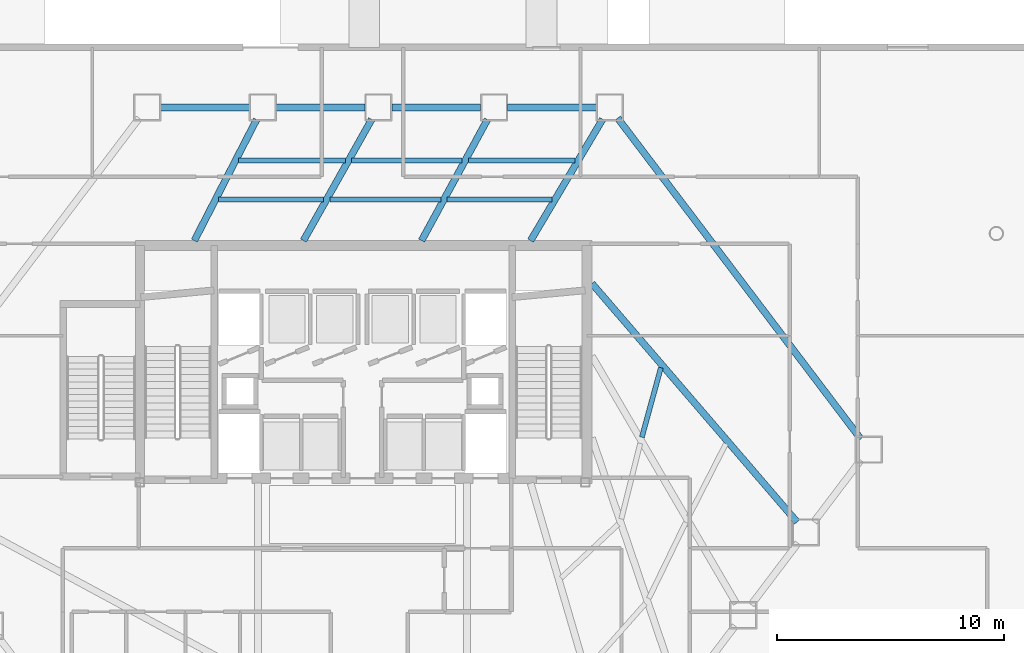
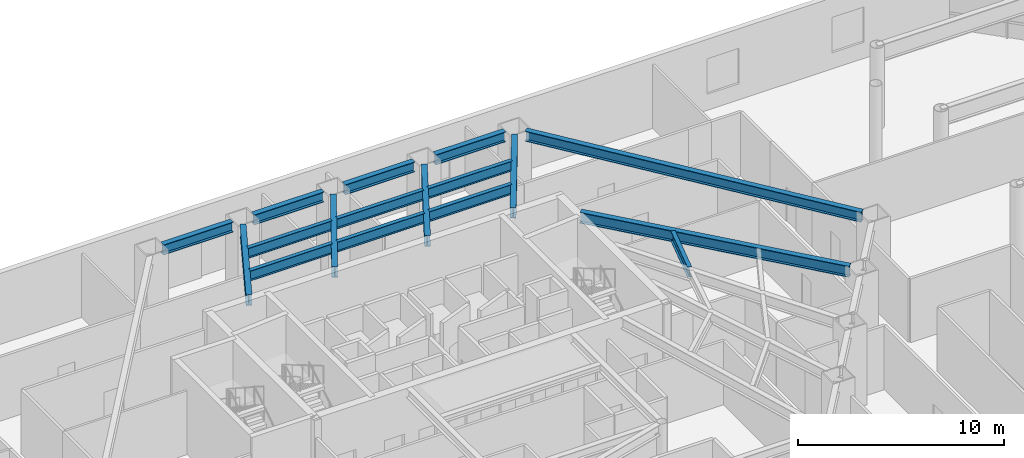
# One storey, part 13 of 31: 17 beams.
"""IFC4 building model written with IfcOpenShell, lengths in metres."""

from ifc_helpers import new_model, si_unit, direction, frame, origin, origin_2d, place, context, subcontext, project, spatial, i_section, extrude, material, material_profile, profile_set, type_object, element, save


model = new_model("IFC4")

# Units and contexts
model_context = context("Model", 3, precision=1e-05, world=origin(), true_north=direction((0.0, 1.0)))
body_context = subcontext(model_context, "Body", "Model", "MODEL_VIEW")
ifc_project = project(units=[si_unit("LENGTHUNIT", "METRE"), si_unit("AREAUNIT", "SQUARE_METRE"), si_unit("VOLUMEUNIT", "CUBIC_METRE"), si_unit("PLANEANGLEUNIT", "RADIAN"), si_unit("MASSUNIT", "GRAM", prefix="KILO")], contexts=[model_context])

# Site, building, storey
site_placement = place(None, origin())
site = spatial("IfcSite", under=ifc_project, at=site_placement, CompositionType="ELEMENT")
building_placement = place(site_placement, origin())
building = spatial("IfcBuilding", under=site, at=building_placement, Name="Zarrinselat Tower", CompositionType="ELEMENT")
storey_placement = place(building_placement, origin())
storey = spatial("IfcBuildingStorey", under=building, at=storey_placement, Name="L00", CompositionType="ELEMENT", Elevation=0.0)

# Beams
ifc_material_1 = material(Name="Steel S355J2", Category="steel")
ifc_material_profile_1 = material_profile(ifc_material_1, i_section(OverallWidth=0.300048828125, OverallDepth=0.60009765625, WebThickness=0.015380859375, FlangeThickness=0.030029296875, at=origin_2d()), Name="HEB 600")
ifc_profile_set_1 = profile_set([ifc_material_profile_1], Name="Steel S355J2")
beam_type_1 = type_object("IfcBeamType", Name="BM-HEB600", PredefinedType="BEAM", material=ifc_profile_set_1)
beam_1_placement = place(storey_placement, frame((44.776611328125, 49.550048828125, 4.52001953125), z_axis=(1.0, 0.0, 0.0), x_axis=(0.0, 1.0, 0.0)))
element("IfcBeam", 1, at=beam_1_placement, inside=storey, type_object=beam_type_1, Name="L00 Perimeter Spandrel Girder SP01", PredefinedType="BEAM", context=body_context, shape_type="SweptSolid", body=[
    extrude(i_section(OverallWidth=0.300048828125, OverallDepth=0.60009765625, WebThickness=0.015380859375, FlangeThickness=0.030029296875, at=origin_2d()), origin(), (0.0, 0.0, 1.0), 3.912353515625),
])
beam_2_placement = place(storey_placement, frame((39.68798828125, 49.550048828125, 4.52001953125), z_axis=(1.0, 0.0, 0.0), x_axis=(0.0, 1.0, 0.0)))
element("IfcBeam", 2, at=beam_2_placement, inside=storey, type_object=beam_type_1, Name="L00 Perimeter Spandrel Girder SP02", PredefinedType="BEAM", context=body_context, shape_type="SweptSolid", body=[
    extrude(i_section(OverallWidth=0.300048828125, OverallDepth=0.60009765625, WebThickness=0.015380859375, FlangeThickness=0.030029296875, at=origin_2d()), origin(), (0.0, 0.0, 1.0), 3.91259765625),
])
beam_3_placement = place(storey_placement, frame((34.599609375, 49.550048828125, 4.52001953125), z_axis=(1.0, 0.0, 0.0), x_axis=(0.0, 1.0, 0.0)))
element("IfcBeam", 3, at=beam_3_placement, inside=storey, type_object=beam_type_1, Name="L00 Perimeter Spandrel Girder SP03", PredefinedType="BEAM", context=body_context, shape_type="SweptSolid", body=[
    extrude(i_section(OverallWidth=0.300048828125, OverallDepth=0.60009765625, WebThickness=0.015380859375, FlangeThickness=0.030029296875, at=origin_2d()), origin(), (0.0, 0.0, 1.0), 3.912353515625),
])
beam_4_placement = place(storey_placement, frame((29.510986328125, 49.550048828125, 4.52001953125), z_axis=(1.0, 0.0, 0.0), x_axis=(0.0, 1.0, 0.0)))
element("IfcBeam", 4, at=beam_4_placement, inside=storey, type_object=beam_type_1, Name="L00 Perimeter Spandrel Girder SP04", PredefinedType="BEAM", context=body_context, shape_type="SweptSolid", body=[
    extrude(i_section(OverallWidth=0.300048828125, OverallDepth=0.60009765625, WebThickness=0.015380859375, FlangeThickness=0.030029296875, at=origin_2d()), origin(), (0.0, 0.0, 1.0), 3.91259765625),
])
beam_5_placement = place(storey_placement, frame((49.632080078125, 49.081298828125, 4.52001953125), z_axis=(0.603851850525, -0.797096570446, 0.0), x_axis=(0.797096570446, 0.603851850525, 0.0)))
element("IfcBeam", 5, at=beam_5_placement, inside=storey, type_object=beam_type_1, Name="L00 Perimeter Spandrel Girder SP15", PredefinedType="BEAM", context=body_context, shape_type="SweptSolid", body=[
    extrude(i_section(OverallWidth=0.300048828125, OverallDepth=0.60009765625, WebThickness=0.015380859375, FlangeThickness=0.030029296875, at=origin_2d()), origin(), (0.0, 0.0, 1.0), 17.715087890625),
])
ifc_material_2 = material(Name="Steel S355J2", Category="steel")
ifc_material_profile_2 = material_profile(ifc_material_2, i_section(OverallWidth=0.300048828125, OverallDepth=0.64990234375, WebThickness=0.01611328125, FlangeThickness=0.031005859375, at=origin_2d()), Name="HEB 650")
ifc_profile_set_2 = profile_set([ifc_material_profile_2], Name="Steel S355J2")
beam_type_2 = type_object("IfcBeamType", Name="BM-HEB650", PredefinedType="BEAM", material=ifc_profile_set_2)
beam_6_placement = place(storey_placement, frame((45.800048828125, 43.68994140625, 4.4951171875), z_axis=(0.510264490313, 0.860017528848, 0.0), x_axis=(-0.860017528848, 0.510264490313, 0.0)))
element("IfcBeam", 6, at=beam_6_placement, inside=storey, type_object=beam_type_2, Name="L00 Radial Primary Girder RG01", PredefinedType="BEAM", context=body_context, shape_type="SweptSolid", body=[
    extrude(i_section(OverallWidth=0.300048828125, OverallDepth=0.64990234375, WebThickness=0.01611328125, FlangeThickness=0.031005859375, at=origin_2d()), origin(), (0.0, 0.0, 1.0), 6.2119140625),
])
beam_7_placement = place(storey_placement, frame((41.0, 43.68994140625, 4.4951171875), z_axis=(0.477950024599, 0.878387029723, 0.0), x_axis=(-0.878387029723, 0.477950024599, 0.0)))
element("IfcBeam", 7, at=beam_7_placement, inside=storey, type_object=beam_type_2, Name="L00 Radial Primary Girder RG02", PredefinedType="BEAM", context=body_context, shape_type="SweptSolid", body=[
    extrude(i_section(OverallWidth=0.300048828125, OverallDepth=0.64990234375, WebThickness=0.01611328125, FlangeThickness=0.031005859375, at=origin_2d()), origin(), (0.0, 0.0, 1.0), 6.0693359375),
])
beam_8_placement = place(storey_placement, frame((35.800048828125, 43.68994140625, 4.4951171875), z_axis=(0.490688992251, 0.87133478806, 0.0), x_axis=(-0.87133478806, 0.490688992251, 0.0)))
element("IfcBeam", 8, at=beam_8_placement, inside=storey, type_object=beam_type_2, Name="L00 Radial Primary Girder RG03", PredefinedType="BEAM", context=body_context, shape_type="SweptSolid", body=[
    extrude(i_section(OverallWidth=0.300048828125, OverallDepth=0.64990234375, WebThickness=0.01611328125, FlangeThickness=0.031005859375, at=origin_2d()), origin(), (0.0, 0.0, 1.0), 6.123291015625),
])
beam_9_placement = place(storey_placement, frame((31.0, 43.68994140625, 4.4951171875), z_axis=(0.457071554936, 0.889429926227, 0.0), x_axis=(-0.889429926227, 0.457071554936, 0.0)))
element("IfcBeam", 9, at=beam_9_placement, inside=storey, type_object=beam_type_2, Name="L00 Radial Primary Girder RG04", PredefinedType="BEAM", context=body_context, shape_type="SweptSolid", body=[
    extrude(i_section(OverallWidth=0.300048828125, OverallDepth=0.64990234375, WebThickness=0.01611328125, FlangeThickness=0.031005859375, at=origin_2d()), origin(), (0.0, 0.0, 1.0), 5.986572265625),
])
beam_10_placement = place(storey_placement, frame((48.5, 41.800048828125, 4.4951171875), z_axis=(0.651921697531, -0.758286291771, 0.0), x_axis=(0.758286291771, 0.651921697531, 0.0)))
element("IfcBeam", 10, at=beam_10_placement, inside=storey, type_object=beam_type_2, Name="L00 Radial Primary Girder RG14", PredefinedType="BEAM", context=body_context, shape_type="SweptSolid", body=[
    extrude(i_section(OverallWidth=0.300048828125, OverallDepth=0.64990234375, WebThickness=0.01611328125, FlangeThickness=0.031005859375, at=origin_2d()), origin(), (0.0, 0.0, 1.0), 13.84765625),
])
ifc_material_3 = material(Name="Steel S355J2", Category="steel")
ifc_material_profile_3 = material_profile(ifc_material_3, i_section(OverallWidth=0.219970703125, OverallDepth=0.60009765625, WebThickness=0.011962890625, FlangeThickness=0.01904296875, at=origin_2d()), Name="IPE 600")
ifc_profile_set_3 = profile_set([ifc_material_profile_3], Name="Steel S355J2")
beam_type_3 = type_object("IfcBeamType", Name="BM-IPE600", PredefinedType="JOIST", material=ifc_profile_set_3)
beam_11_placement = place(storey_placement, frame((50.69677734375, 35.03369140625, 4.52001953125), z_axis=(0.26337130416, 0.964694540331, 0.0), x_axis=(-0.964694540331, 0.26337130416, 0.0)))
element("IfcBeam", 11, at=beam_11_placement, inside=storey, type_object=beam_type_3, Name="L00 Composite Floor Joist 5-2", PredefinedType="JOIST", context=body_context, shape_type="SweptSolid", body=[
    extrude(i_section(OverallWidth=0.219970703125, OverallDepth=0.60009765625, WebThickness=0.011962890625, FlangeThickness=0.01904296875, at=origin_2d()), origin(), (0.0, 0.0, 1.0), 3.173095703125),
])
beam_12_placement = place(storey_placement, frame((43.054443359375, 47.208740234375, 4.52001953125), z_axis=(0.999998864297, 0.00150711813, 0.0), x_axis=(-0.00150711813, 0.999998864297, 0.0)))
element("IfcBeam", 12, at=beam_12_placement, inside=storey, type_object=beam_type_3, Name="L00 Composite Floor Joist 7-1", PredefinedType="JOIST", context=body_context, shape_type="SweptSolid", body=[
    extrude(i_section(OverallWidth=0.219970703125, OverallDepth=0.60009765625, WebThickness=0.011962890625, FlangeThickness=0.01904296875, at=origin_2d()), origin(), (0.0, 0.0, 1.0), 4.69775390625),
])
beam_13_placement = place(storey_placement, frame((42.126220703125, 45.502685546875, 4.52001953125), z_axis=(0.999999684692, 0.000794112725, 0.0), x_axis=(-0.000794112725, 0.999999684692, 0.0)))
element("IfcBeam", 13, at=beam_13_placement, inside=storey, type_object=beam_type_3, Name="L00 Composite Floor Joist 7-2", PredefinedType="JOIST", context=body_context, shape_type="SweptSolid", body=[
    extrude(i_section(OverallWidth=0.219970703125, OverallDepth=0.60009765625, WebThickness=0.011962890625, FlangeThickness=0.01904296875, at=origin_2d()), origin(), (0.0, 0.0, 1.0), 4.611572265625),
])
beam_14_placement = place(storey_placement, frame((37.923095703125, 47.21142578125, 4.52001953125), z_axis=(0.99999984678, -0.000553570445, 0.0), x_axis=(0.000553570445, 0.99999984678, 0.0)))
element("IfcBeam", 14, at=beam_14_placement, inside=storey, type_object=beam_type_3, Name="L00 Composite Floor Joist 8-1", PredefinedType="JOIST", context=body_context, shape_type="SweptSolid", body=[
    extrude(i_section(OverallWidth=0.219970703125, OverallDepth=0.60009765625, WebThickness=0.011962890625, FlangeThickness=0.01904296875, at=origin_2d()), origin(), (0.0, 0.0, 1.0), 4.851318359375),
])
beam_15_placement = place(storey_placement, frame((36.961669921875, 45.50390625, 4.52001953125), z_axis=(0.999999968772, -0.000249912523, 0.0), x_axis=(0.000249912523, 0.999999968772, 0.0)))
element("IfcBeam", 15, at=beam_15_placement, inside=storey, type_object=beam_type_3, Name="L00 Composite Floor Joist 8-2", PredefinedType="JOIST", context=body_context, shape_type="SweptSolid", body=[
    extrude(i_section(OverallWidth=0.219970703125, OverallDepth=0.60009765625, WebThickness=0.011962890625, FlangeThickness=0.01904296875, at=origin_2d()), origin(), (0.0, 0.0, 1.0), 4.884521484375),
])
beam_16_placement = place(storey_placement, frame((32.946044921875, 47.204345703125, 4.52001953125), z_axis=(0.99999894094, 0.001455375557, 0.0), x_axis=(-0.001455375557, 0.99999894094, 0.0)))
element("IfcBeam", 16, at=beam_16_placement, inside=storey, type_object=beam_type_3, Name="L00 Composite Floor Joist 9-1", PredefinedType="JOIST", context=body_context, shape_type="SweptSolid", body=[
    extrude(i_section(OverallWidth=0.219970703125, OverallDepth=0.60009765625, WebThickness=0.011962890625, FlangeThickness=0.01904296875, at=origin_2d()), origin(), (0.0, 0.0, 1.0), 4.697021484375),
])
beam_17_placement = place(storey_placement, frame((32.0703125, 45.50048828125, 4.52001953125), z_axis=(0.999999725303, 0.000741211148, 0.0), x_axis=(-0.000741211148, 0.999999725303, 0.0)))
element("IfcBeam", 17, at=beam_17_placement, inside=storey, type_object=beam_type_3, Name="L00 Composite Floor Joist 9-2", PredefinedType="JOIST", context=body_context, shape_type="SweptSolid", body=[
    extrude(i_section(OverallWidth=0.219970703125, OverallDepth=0.60009765625, WebThickness=0.011962890625, FlangeThickness=0.01904296875, at=origin_2d()), origin(), (0.0, 0.0, 1.0), 4.611328125),
])

save(model, "model.ifc")
